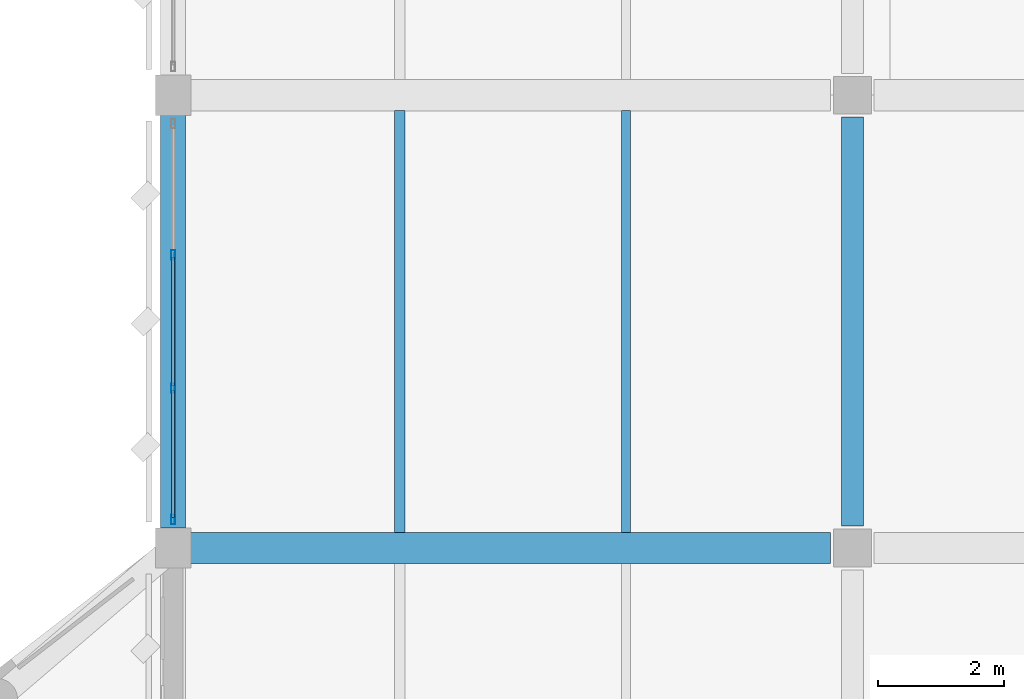
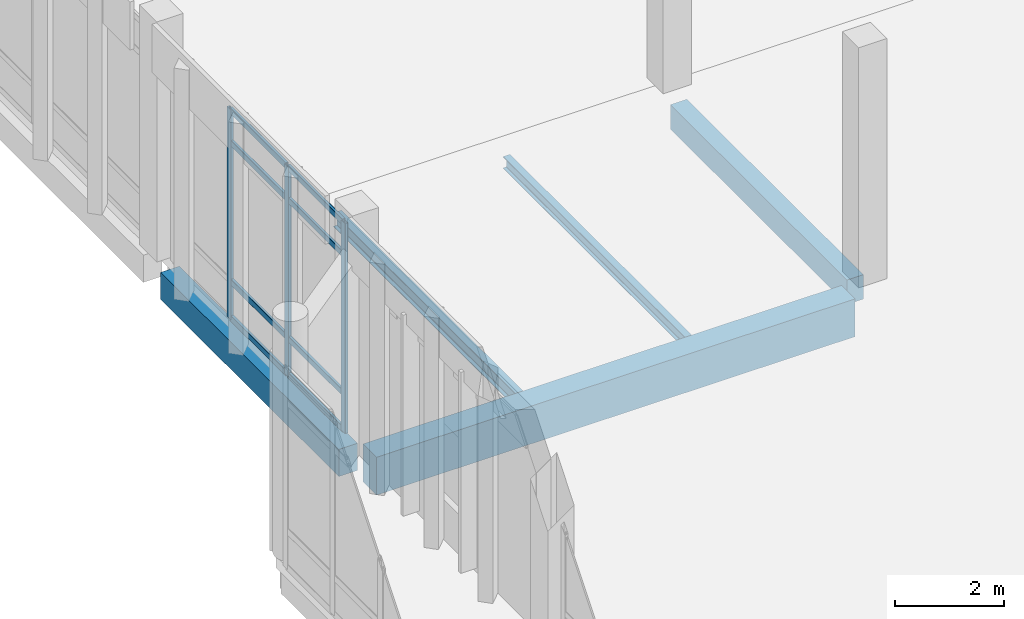
# One storey, part 60 of 180: 11 members, 5 beams, 1 element without a shape of its own.
"""IFC4 building model written with IfcOpenShell, lengths in metres."""

import ifcopenshell
import ifcopenshell.guid

model = None  # the IFC model being written
_history = None  # IfcOwnerHistory: only IFC2X3 demands one
_inside = {}  # id of a spatial element -> (the spatial element, [elements in it])
_under = {}  # id of a project, library or spatial element -> (it, [spatial elements below it])
_declared = {}  # id of a project -> (the project, [libraries it declares])
_typed = {}  # id of a type object -> (the type object, [elements of that type])
_made_of = {}  # id of a material, layer set ... -> (it, [elements and type objects made of it])


def new_model(schema):
    """Start an empty IFC model of exactly this schema.

    Asked for "IFC4X3", IfcOpenShell would pick the latest addendum, in which some entities
    have other attributes; the version numbers below select the first issue.
    IFC2X3 requires an IfcOwnerHistory on every rooted entity: one is made here for all.
    """
    global model, _history
    if schema == "IFC4X3":
        model = ifcopenshell.file(schema_version=(4, 3, 0, 0))
    else:
        model = ifcopenshell.file(schema=schema)
    _inside.clear()
    _under.clear()
    _declared.clear()
    _typed.clear()
    _made_of.clear()
    _history = None
    if model.schema == "IFC2X3":
        org = make("IfcOrganization", Name="unknown")
        user = make(
            "IfcPersonAndOrganization",
            ThePerson=make("IfcPerson", FamilyName="unknown"),
            TheOrganization=org,
        )
        app = make(
            "IfcApplication",
            ApplicationDeveloper=org,
            Version="unknown",
            ApplicationFullName="unknown",
            ApplicationIdentifier="unknown",
        )
        _history = make(
            "IfcOwnerHistory",
            OwningUser=user,
            OwningApplication=app,
            ChangeAction="ADDED",
            CreationDate=0,
        )
    return model


def make(cls, **values):
    """One entity of the class cls with the attributes given. An attribute that is None is left unset."""
    return model.create_entity(
        cls, **{name: value for name, value in values.items() if value is not None}
    )


def rooted(cls, **values):
    """An entity with a GlobalId (a new one), such as an element, a storey or a relation."""
    return make(cls, GlobalId=ifcopenshell.guid.new(), OwnerHistory=_history, **values)


def si_unit(unit_type, name, prefix=None):
    """IfcSIUnit, for example si_unit("LENGTHUNIT", "METRE", prefix="MILLI")."""
    return make("IfcSIUnit", UnitType=unit_type, Prefix=prefix, Name=name)


def assignment(units):
    """IfcUnitAssignment: the units of a project."""
    return None if units is None else make("IfcUnitAssignment", Units=units)


def point(xyz):
    """IfcCartesianPoint."""
    return None if xyz is None else make("IfcCartesianPoint", Coordinates=xyz)


def direction(xyz):
    """IfcDirection."""
    return None if xyz is None else make("IfcDirection", DirectionRatios=xyz)


def frame(location, z_axis=None, x_axis=None):
    """IfcAxis2Placement3D, a coordinate frame: its origin and axes. An axis left out is left unset."""
    return make(
        "IfcAxis2Placement3D",
        Location=point(location),
        Axis=direction(z_axis),
        RefDirection=direction(x_axis),
    )


def frame_2d(location, x_axis=None):
    """IfcAxis2Placement2D, a coordinate frame in the plane: its origin and x axis."""
    return make(
        "IfcAxis2Placement2D", Location=point(location), RefDirection=direction(x_axis)
    )


def origin():
    """The frame at (0, 0, 0) with its axes left unset."""
    return frame((0.0, 0.0, 0.0))


def origin_2d():
    """The frame at (0, 0) in the plane with its x axis left unset."""
    return frame_2d((0.0, 0.0))


def place(relative_to, where):
    """IfcLocalPlacement: puts the frame where relative to a parent placement (None: the world)."""
    return make(
        "IfcLocalPlacement", PlacementRelTo=relative_to, RelativePlacement=where
    )


def context(
    kind, dimensions, precision=None, world=None, true_north=None, identifier=None
):
    """IfcGeometricRepresentationContext, for example the 3D "Model" context."""
    return make(
        "IfcGeometricRepresentationContext",
        ContextIdentifier=identifier,
        ContextType=kind,
        CoordinateSpaceDimension=dimensions,
        Precision=precision,
        WorldCoordinateSystem=world,
        TrueNorth=true_north,
    )


def subcontext(parent, identifier, kind, view, scale=None):
    """IfcGeometricRepresentationSubContext, for example "Body" below "Model"."""
    return make(
        "IfcGeometricRepresentationSubContext",
        ContextIdentifier=identifier,
        ContextType=kind,
        ParentContext=parent,
        TargetScale=scale,
        TargetView=view,
    )


def project(units=None, contexts=None):
    """IfcProject with its units and contexts."""
    return rooted(
        "IfcProject",
        Name="project",
        RepresentationContexts=contexts,
        UnitsInContext=assignment(units),
    )


def spatial(cls, under=None, at=None, **own):
    """A site, building, storey or space (cls), placed at a placement, below another one or the project."""
    s = rooted(cls, ObjectPlacement=at, **own)
    if under is not None:
        _under.setdefault(under.id(), (under, []))[1].append(s)
    return s


def profile(cls, at=None, kind="AREA", **sizes):
    """A parametric profile (cls). Its sizes go by their IFC names, for example OverallWidth=200.0."""
    return make(cls, ProfileType=kind, Position=at, **sizes)


def rectangle(**sizes):
    """IfcRectangleProfileDef."""
    return profile("IfcRectangleProfileDef", **sizes)


def hollow_rectangle(**sizes):
    """IfcRectangleHollowProfileDef."""
    return profile("IfcRectangleHollowProfileDef", **sizes)


def i_section(**sizes):
    """IfcIShapeProfileDef."""
    return profile("IfcIShapeProfileDef", **sizes)


def extrude(swept, where, along, depth):
    """IfcExtrudedAreaSolid: the profile swept, set in the frame where, extruded along a direction by depth."""
    return make(
        "IfcExtrudedAreaSolid",
        SweptArea=swept,
        Position=where,
        ExtrudedDirection=direction(along),
        Depth=depth,
    )


def shape(context_of_items, identifier, shape_type, items):
    """IfcShapeRepresentation: the items that make up one representation, for example the "Body"."""
    return make(
        "IfcShapeRepresentation",
        ContextOfItems=context_of_items,
        RepresentationIdentifier=identifier,
        RepresentationType=shape_type,
        Items=items,
    )


def material(Name=None, Category=None):
    """IfcMaterial."""
    return make("IfcMaterial", Name=Name, Category=Category)


def material_profile(
    of_material, cross_section, Name=None, Category=None, Priority=None
):
    """IfcMaterialProfile: a cross section and its material."""
    return make(
        "IfcMaterialProfile",
        Name=Name,
        Material=of_material,
        Profile=cross_section,
        Priority=Priority,
        Category=Category,
    )


def profile_set(profiles, Name=None, composite=None):
    """IfcMaterialProfileSet."""
    return make(
        "IfcMaterialProfileSet",
        Name=Name,
        MaterialProfiles=profiles,
        CompositeProfile=composite,
    )


def made_of(thing, what):
    """Note that an element or type object is made of a material, layer set ...; save() writes the relation."""
    if what is not None:
        _made_of.setdefault(what.id(), (what, []))[1].append(thing)
    return thing


def type_object(cls, material=None, **own):
    """A type object (cls), such as IfcWallType, which elements share."""
    return made_of(rooted(cls, **own), material)


def element(
    cls,
    number,
    at=None,
    inside=None,
    cuts=None,
    type_object=None,
    material=None,
    context=None,
    identifier="Body",
    shape_type=None,
    held_by="IfcProductDefinitionShape",
    body=None,
    shapes=None,
    **own,
):
    """One element of the class cls, such as IfcWall. Its Tag is "e" and its number.

    at: its placement. inside: the storey or other place that contains it. cuts: it is an
    opening in that element (IfcRelVoidsElement). A single representation is given by context,
    identifier, shape_type and body (its items); several are given by shapes. held_by: the class
    of the entity that holds the representations. save() writes the other relations.
    """
    e = rooted(cls, Tag="e%d" % number, ObjectPlacement=at, **own)
    if body is not None:
        shapes = [shape(context, identifier, shape_type, body)]
    if shapes is not None:
        e.Representation = make(held_by, Representations=shapes)
    if inside is not None:
        _inside.setdefault(inside.id(), (inside, []))[1].append(e)
    if cuts is not None:
        rooted(
            "IfcRelVoidsElement", RelatingBuildingElement=cuts, RelatedOpeningElement=e
        )
    if type_object is not None:
        _typed.setdefault(type_object.id(), (type_object, []))[1].append(e)
    return made_of(e, material)


def aggregate(whole, parts):
    """IfcRelAggregates: a whole, such as a stair, and the parts it consists of."""
    return rooted("IfcRelAggregates", RelatingObject=whole, RelatedObjects=parts)


def save(model, path):
    """Write the relations noted so far, then the file.

    IfcRelAggregates (storeys below a building ...), IfcRelContainedInSpatialStructure (elements
    in a storey), IfcRelDefinesByType, IfcRelAssociatesMaterial and IfcRelDeclares: one each for
    every whole, place, type object, material and project.
    """
    for whole, parts in _under.values():
        aggregate(whole, parts)
    for where, things in _inside.values():
        rooted(
            "IfcRelContainedInSpatialStructure",
            RelatedElements=things,
            RelatingStructure=where,
        )
    for kind, things in _typed.values():
        rooted("IfcRelDefinesByType", RelatedObjects=things, RelatingType=kind)
    for what, things in _made_of.values():
        rooted("IfcRelAssociatesMaterial", RelatedObjects=things, RelatingMaterial=what)
    for by, libraries in _declared.values():
        rooted("IfcRelDeclares", RelatingContext=by, RelatedDefinitions=libraries)
    model.write(path)


model = new_model("IFC4")

# Units and contexts
model_context = context("Model", 3, precision=1e-05, world=origin(), true_north=direction((0.0, 1.0)))
body_context = subcontext(model_context, "Body", "Model", "MODEL_VIEW")
ifc_project = project(units=[si_unit("LENGTHUNIT", "METRE"), si_unit("AREAUNIT", "SQUARE_METRE"), si_unit("VOLUMEUNIT", "CUBIC_METRE"), si_unit("PLANEANGLEUNIT", "RADIAN"), si_unit("MASSUNIT", "GRAM", prefix="KILO")], contexts=[model_context])

# Site, building, storey
site_placement = place(None, origin())
site = spatial("IfcSite", under=ifc_project, at=site_placement, CompositionType="ELEMENT")
building_placement = place(site_placement, origin())
building = spatial("IfcBuilding", under=site, at=building_placement, Name="Lusvemor Sports Hall", CompositionType="ELEMENT")
storey_placement = place(building_placement, frame((0.0, 0.0, 5.39990234375)))
storey = spatial("IfcBuildingStorey", under=building, at=storey_placement, Name="L01", CompositionType="ELEMENT", Elevation=5.39990234375)

# Beam
ifc_material_1 = material(Name="Concrete C40/50", Category="concrete")
ifc_material_profile_1 = material_profile(ifc_material_1, rectangle(XDim=0.35009765625, YDim=0.550048828125, at=origin_2d()), Name="RC350x550")
ifc_profile_set_1 = profile_set([ifc_material_profile_1], Name="Concrete C40/50")
beam_type_1 = type_object("IfcBeamType", Name="BEAM_RC_550", PredefinedType="BEAM", material=ifc_profile_set_1)
beam_1_placement = place(storey_placement, frame((10.800048828125, 90.345947265625, -0.534912109375), z_axis=(0.0, 1.0, 0.0), x_axis=(-1.0, 0.0, 0.0)))
element("IfcBeam", 1, at=beam_1_placement, inside=storey, type_object=beam_type_1, Name="Beam L01 2:M-N", PredefinedType="BEAM", context=body_context, shape_type="SweptSolid", body=[
    extrude(rectangle(XDim=0.35009765625, YDim=0.550048828125, at=origin_2d()), origin(), (0.0, 0.0, 1.0), 6.508056640625),
])

# Curtain wall, members
ifc_material_2 = material(Name="Thermally broken bronze-anodized aluminium", Category="aluminium")
curtain_wall_type = type_object("IfcCurtainWallType", Name="CW_WING_B", PredefinedType="NOTDEFINED", material=ifc_material_2)
curtain_wall_placement = place(storey_placement, origin())
curtain_wall = element("IfcCurtainWall", 2, at=curtain_wall_placement, inside=storey, type_object=curtain_wall_type, Name="Curtain Wall CW-L01-W-0-6", PredefinedType="NOTDEFINED")
ifc_material_3 = material(Name="Thermally broken bronze-anodized aluminium", Category="aluminium")
ifc_material_profile_2 = material_profile(ifc_material_3, hollow_rectangle(XDim=0.06494140625, YDim=0.14990234375, WallThickness=0.00390625, InnerFilletRadius=0.00390625, OuterFilletRadius=0.008056640625, at=origin_2d()), Name="CWMUL150x65x4")
ifc_profile_set_2 = profile_set([ifc_material_profile_2], Name="Thermally broken bronze-anodized aluminium")
member_type_1 = type_object("IfcMemberType", Name="CW_MUL_B", PredefinedType="MULLION", material=ifc_profile_set_2)
member_1_placement = place(storey_placement, frame((0.0, 90.452392578125, 0.0), z_axis=(0.0, 0.0, 1.0), x_axis=(-1.0, 0.0, 0.0)))
member_1 = element("IfcMember", 3, at=member_1_placement, type_object=member_type_1, Name="CW02 mullion 1", PredefinedType="MULLION", context=body_context, shape_type="SweptSolid", body=[
    extrude(hollow_rectangle(XDim=0.06494140625, YDim=0.14990234375, WallThickness=0.00390625, InnerFilletRadius=0.00390625, OuterFilletRadius=0.008056640625, at=origin_2d()), origin(), (0.0, 0.0, 1.0), 4.72021484375),
])
member_2_placement = place(storey_placement, frame((0.0, 92.5400390625, 0.0), z_axis=(0.0, 0.0, 1.0), x_axis=(-1.0, 0.0, 0.0)))
member_2 = element("IfcMember", 4, at=member_2_placement, type_object=member_type_1, Name="CW02 mullion 2", PredefinedType="MULLION", context=body_context, shape_type="SweptSolid", body=[
    extrude(hollow_rectangle(XDim=0.06494140625, YDim=0.14990234375, WallThickness=0.00390625, InnerFilletRadius=0.00390625, OuterFilletRadius=0.008056640625, at=origin_2d()), origin(), (0.0, 0.0, 1.0), 4.72021484375),
])
member_3_placement = place(storey_placement, frame((0.0, 94.659912109375, 0.0), z_axis=(0.0, 0.0, 1.0), x_axis=(-1.0, 0.0, 0.0)))
member_3 = element("IfcMember", 5, at=member_3_placement, type_object=member_type_1, Name="CW02 mullion 3", PredefinedType="MULLION", context=body_context, shape_type="SweptSolid", body=[
    extrude(hollow_rectangle(XDim=0.06494140625, YDim=0.14990234375, WallThickness=0.00390625, InnerFilletRadius=0.00390625, OuterFilletRadius=0.008056640625, at=origin_2d()), origin(), (0.0, 0.0, 1.0), 4.72021484375),
])
ifc_material_4 = material(Name="Thermally broken bronze-anodized aluminium", Category="aluminium")
ifc_material_profile_3 = material_profile(ifc_material_4, hollow_rectangle(XDim=0.06005859375, YDim=0.135009765625, WallThickness=0.00390625, InnerFilletRadius=0.00390625, OuterFilletRadius=0.008056640625, at=origin_2d()), Name="CWTRN135x60x4")
ifc_profile_set_3 = profile_set([ifc_material_profile_3], Name="Thermally broken bronze-anodized aluminium")
member_type_2 = type_object("IfcMemberType", Name="CW_TRN_B", PredefinedType="USERDEFINED", material=ifc_profile_set_3)
member_4_placement = place(storey_placement, frame((0.0, 90.485107421875, 0.030029296875), z_axis=(0.0, 1.0, 0.0), x_axis=(-1.0, 0.0, 0.0)))
member_4 = element("IfcMember", 6, at=member_4_placement, type_object=member_type_2, Name="CW02 transom 1.1", ObjectType="TRANSOM", PredefinedType="USERDEFINED", context=body_context, shape_type="SweptSolid", body=[
    extrude(hollow_rectangle(XDim=0.06005859375, YDim=0.135009765625, WallThickness=0.00390625, InnerFilletRadius=0.00390625, OuterFilletRadius=0.008056640625, at=origin_2d()), origin(), (0.0, 0.0, 1.0), 2.0224609375),
])
member_5_placement = place(storey_placement, frame((0.0, 90.485107421875, 0.85009765625), z_axis=(0.0, 1.0, 0.0), x_axis=(-1.0, 0.0, 0.0)))
member_5 = element("IfcMember", 7, at=member_5_placement, type_object=member_type_2, Name="CW02 transom 1.2", ObjectType="TRANSOM", PredefinedType="USERDEFINED", context=body_context, shape_type="SweptSolid", body=[
    extrude(hollow_rectangle(XDim=0.06005859375, YDim=0.135009765625, WallThickness=0.00390625, InnerFilletRadius=0.00390625, OuterFilletRadius=0.008056640625, at=origin_2d()), origin(), (0.0, 0.0, 1.0), 2.0224609375),
])
member_6_placement = place(storey_placement, frame((0.0, 90.485107421875, 3.97021484375), z_axis=(0.0, 1.0, 0.0), x_axis=(-1.0, 0.0, 0.0)))
member_6 = element("IfcMember", 8, at=member_6_placement, type_object=member_type_2, Name="CW02 transom 1.3", ObjectType="TRANSOM", PredefinedType="USERDEFINED", context=body_context, shape_type="SweptSolid", body=[
    extrude(hollow_rectangle(XDim=0.06005859375, YDim=0.135009765625, WallThickness=0.00390625, InnerFilletRadius=0.00390625, OuterFilletRadius=0.008056640625, at=origin_2d()), origin(), (0.0, 0.0, 1.0), 2.0224609375),
])
member_7_placement = place(storey_placement, frame((0.0, 90.485107421875, 4.690185546875), z_axis=(0.0, 1.0, 0.0), x_axis=(-1.0, 0.0, 0.0)))
member_7 = element("IfcMember", 9, at=member_7_placement, type_object=member_type_2, Name="CW02 transom 1.4", ObjectType="TRANSOM", PredefinedType="USERDEFINED", context=body_context, shape_type="SweptSolid", body=[
    extrude(hollow_rectangle(XDim=0.06005859375, YDim=0.135009765625, WallThickness=0.00390625, InnerFilletRadius=0.00390625, OuterFilletRadius=0.008056640625, at=origin_2d()), origin(), (0.0, 0.0, 1.0), 2.0224609375),
])
member_8_placement = place(storey_placement, frame((0.0, 92.572509765625, 0.030029296875), z_axis=(0.0, 1.0, 0.0), x_axis=(-1.0, 0.0, 0.0)))
member_8 = element("IfcMember", 10, at=member_8_placement, type_object=member_type_2, Name="CW02 transom 2.1", ObjectType="TRANSOM", PredefinedType="USERDEFINED", context=body_context, shape_type="SweptSolid", body=[
    extrude(hollow_rectangle(XDim=0.06005859375, YDim=0.135009765625, WallThickness=0.00390625, InnerFilletRadius=0.00390625, OuterFilletRadius=0.008056640625, at=origin_2d()), origin(), (0.0, 0.0, 1.0), 2.054931640625),
])
member_9_placement = place(storey_placement, frame((0.0, 92.572509765625, 0.85009765625), z_axis=(0.0, 1.0, 0.0), x_axis=(-1.0, 0.0, 0.0)))
member_9 = element("IfcMember", 11, at=member_9_placement, type_object=member_type_2, Name="CW02 transom 2.2", ObjectType="TRANSOM", PredefinedType="USERDEFINED", context=body_context, shape_type="SweptSolid", body=[
    extrude(hollow_rectangle(XDim=0.06005859375, YDim=0.135009765625, WallThickness=0.00390625, InnerFilletRadius=0.00390625, OuterFilletRadius=0.008056640625, at=origin_2d()), origin(), (0.0, 0.0, 1.0), 2.054931640625),
])
member_10_placement = place(storey_placement, frame((0.0, 92.572509765625, 3.97021484375), z_axis=(0.0, 1.0, 0.0), x_axis=(-1.0, 0.0, 0.0)))
member_10 = element("IfcMember", 12, at=member_10_placement, type_object=member_type_2, Name="CW02 transom 2.3", ObjectType="TRANSOM", PredefinedType="USERDEFINED", context=body_context, shape_type="SweptSolid", body=[
    extrude(hollow_rectangle(XDim=0.06005859375, YDim=0.135009765625, WallThickness=0.00390625, InnerFilletRadius=0.00390625, OuterFilletRadius=0.008056640625, at=origin_2d()), origin(), (0.0, 0.0, 1.0), 2.054931640625),
])
member_11_placement = place(storey_placement, frame((0.0, 92.572509765625, 4.690185546875), z_axis=(0.0, 1.0, 0.0), x_axis=(-1.0, 0.0, 0.0)))
member_11 = element("IfcMember", 13, at=member_11_placement, type_object=member_type_2, Name="CW02 transom 2.4", ObjectType="TRANSOM", PredefinedType="USERDEFINED", context=body_context, shape_type="SweptSolid", body=[
    extrude(hollow_rectangle(XDim=0.06005859375, YDim=0.135009765625, WallThickness=0.00390625, InnerFilletRadius=0.00390625, OuterFilletRadius=0.008056640625, at=origin_2d()), origin(), (0.0, 0.0, 1.0), 2.054931640625),
])
aggregate(curtain_wall, [member_1, member_2, member_3, member_4, member_5, member_6, member_7, member_8, member_9, member_10, member_11])

# Beams
ifc_material_5 = material(Name="Concrete C40/50", Category="concrete")
ifc_material_profile_4 = material_profile(ifc_material_5, rectangle(XDim=0.5, YDim=0.85009765625, at=origin_2d()), Name="RC500x850")
ifc_profile_set_4 = profile_set([ifc_material_profile_4], Name="Concrete C40/50")
beam_type_2 = type_object("IfcBeamType", Name="GIRD_RC_850", PredefinedType="T_BEAM", material=ifc_profile_set_4)
beam_2_placement = place(storey_placement, frame((0.27587890625, 90.0, -0.684814453125), z_axis=(1.0, 0.0, 0.0), x_axis=(0.0, 1.0, 0.0)))
element("IfcBeam", 14, at=beam_2_placement, inside=storey, type_object=beam_type_2, Name="Beam L01 M:1-2", PredefinedType="T_BEAM", context=body_context, shape_type="SweptSolid", body=[
    extrude(rectangle(XDim=0.5, YDim=0.85009765625, at=origin_2d()), origin(), (0.0, 0.0, 1.0), 10.17822265625),
])
ifc_material_6 = material(Name="Steel S355", Category="steel")
ifc_material_profile_5 = material_profile(ifc_material_6, i_section(OverallWidth=0.14794921875, OverallDepth=0.26611328125, WebThickness=0.007568359375, FlangeThickness=0.012939453125, FilletRadius=0.012939453125, at=origin_2d()), Name="W250x44.8")
ifc_profile_set_5 = profile_set([ifc_material_profile_5], Name="Steel S355")
beam_type_3 = type_object("IfcBeamType", Name="JOIST_ST_250M", PredefinedType="JOIST", material=ifc_profile_set_5)
beam_3_placement = place(storey_placement, frame((7.199951171875, 90.24609375, -0.39697265625), z_axis=(0.0, 1.0, 0.0), x_axis=(-1.0, 0.0, 0.0)))
element("IfcBeam", 15, at=beam_3_placement, inside=storey, type_object=beam_type_3, Name="Secondary Joist L01 1-2/M-N #2", PredefinedType="JOIST", context=body_context, shape_type="SweptSolid", body=[
    extrude(i_section(OverallWidth=0.14794921875, OverallDepth=0.26611328125, WebThickness=0.007568359375, FlangeThickness=0.012939453125, FilletRadius=0.012939453125, at=origin_2d()), origin(), (0.0, 0.0, 1.0), 6.7080078125),
])
ifc_material_7 = material(Name="Steel S355", Category="steel")
ifc_material_profile_6 = material_profile(ifc_material_7, i_section(OverallWidth=0.1669921875, OverallDepth=0.31689453125, WebThickness=0.007568359375, FlangeThickness=0.01318359375, FilletRadius=0.014892578125, at=origin_2d()), Name="W310x52.0")
ifc_profile_set_6 = profile_set([ifc_material_profile_6], Name="Steel S355")
beam_type_4 = type_object("IfcBeamType", Name="JOIST_ST_310M", PredefinedType="JOIST", material=ifc_profile_set_6)
beam_4_placement = place(storey_placement, frame((3.60009765625, 90.24609375, -0.42236328125), z_axis=(0.0, 1.0, 0.0), x_axis=(-1.0, 0.0, 0.0)))
element("IfcBeam", 16, at=beam_4_placement, inside=storey, type_object=beam_type_4, Name="Secondary Joist L01 1-2/M-N #1", PredefinedType="JOIST", context=body_context, shape_type="SweptSolid", body=[
    extrude(i_section(OverallWidth=0.1669921875, OverallDepth=0.31689453125, WebThickness=0.007568359375, FlangeThickness=0.01318359375, FilletRadius=0.014892578125, at=origin_2d()), origin(), (0.0, 0.0, 1.0), 6.7080078125),
])
ifc_material_8 = material(Name="Concrete C40/50", Category="concrete")
ifc_material_profile_7 = material_profile(ifc_material_8, rectangle(XDim=0.39990234375, YDim=0.610107421875, at=origin_2d()), Name="RC400x610")
ifc_profile_set_7 = profile_set([ifc_material_profile_7], Name="Concrete C40/50")
beam_type_5 = type_object("IfcBeamType", Name="SPAND_EXT_650", PredefinedType="SPANDREL", material=ifc_profile_set_7)
beam_5_placement = place(storey_placement, frame((0.0, 90.31591796875, -0.56494140625), z_axis=(0.0, 1.0, 0.0), x_axis=(-1.0, 0.0, 0.0)))
element("IfcBeam", 17, at=beam_5_placement, inside=storey, type_object=beam_type_5, Name="Beam L01 1:M-N", PredefinedType="SPANDREL", context=body_context, shape_type="SweptSolid", body=[
    extrude(rectangle(XDim=0.39990234375, YDim=0.610107421875, at=origin_2d()), origin(), (0.0, 0.0, 1.0), 6.568115234375),
])

save(model, "model.ifc")
